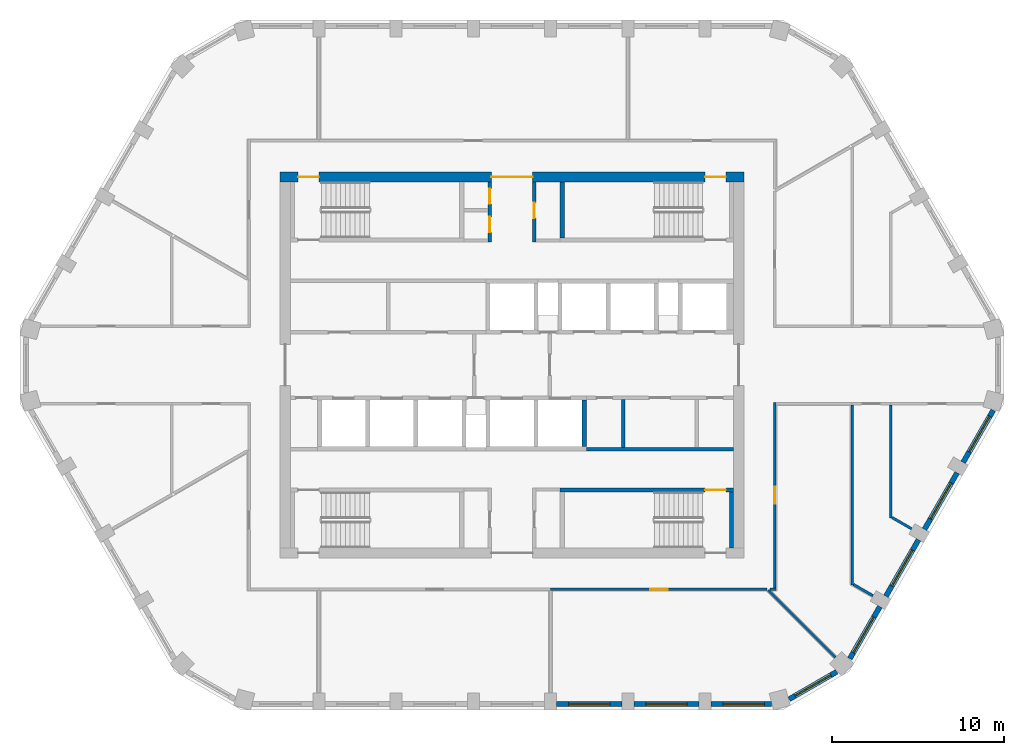
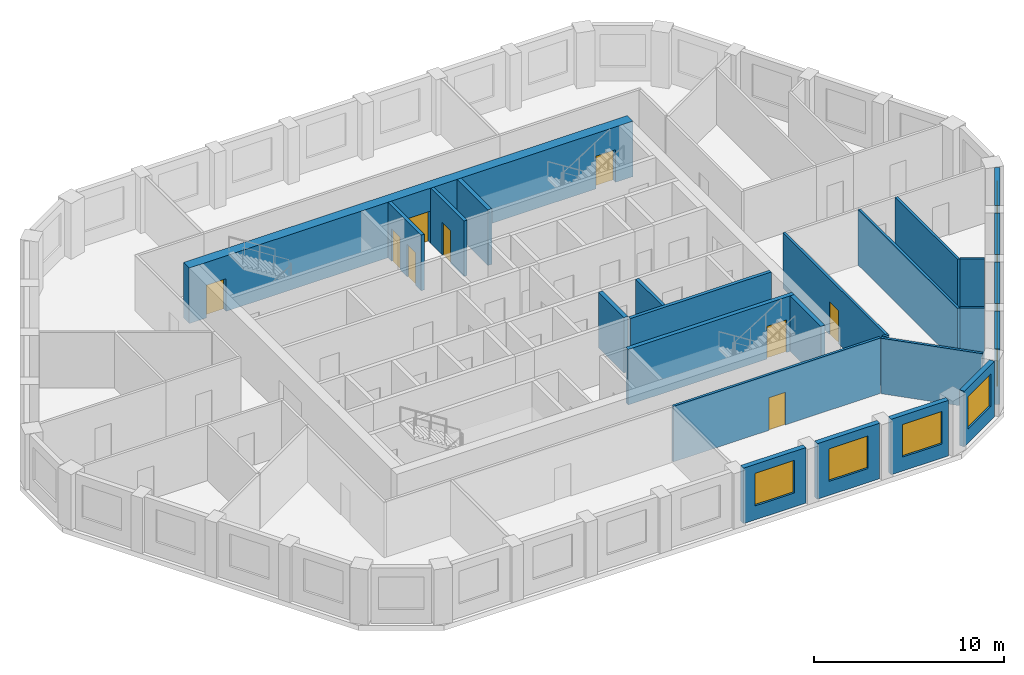
# One storey, part 4 of 11: 25 walls, 9 doors, 8 windows, 17 openings.
"""IFC4 building model written with IfcOpenShell, lengths in metres."""

from ifc_helpers import new_model, si_unit, direction, frame, frame_2d, origin, place, context, subcontext, project, spatial, polyline, rectangle, outline, extrude, material, layer, layer_set, type_object, element, fill, save


model = new_model("IFC4")

# Units and contexts
model_context = context("Model", 3, precision=1e-05, world=origin(), true_north=direction((0.0, 1.0)))
body_context = subcontext(model_context, "Body", "Model", "MODEL_VIEW")
ifc_project = project(units=[si_unit("LENGTHUNIT", "METRE"), si_unit("AREAUNIT", "SQUARE_METRE"), si_unit("VOLUMEUNIT", "CUBIC_METRE"), si_unit("PLANEANGLEUNIT", "RADIAN"), si_unit("MASSUNIT", "GRAM", prefix="KILO")], contexts=[model_context])

# Site, building, storey
site_placement = place(None, origin())
site = spatial("IfcSite", under=ifc_project, at=site_placement, CompositionType="ELEMENT")
building_placement = place(site_placement, origin())
building = spatial("IfcBuilding", under=site, at=building_placement, Name="Dhurran Vertical Campus", CompositionType="ELEMENT")
storey_placement = place(building_placement, frame((0.0, 0.0, 270.300048828125)))
storey = spatial("IfcBuildingStorey", under=building, at=storey_placement, Name="L67", CompositionType="ELEMENT", Elevation=270.300048828125)

# Wall, opening, window
ifc_material_1 = material(Name="Precast concrete C50/60", Category="concrete")
ifc_layer_1 = layer(ifc_material_1, 0.300048828125)
ifc_layer_set_1 = layer_set([ifc_layer_1], Name="Precast concrete C50/60")
wall_type_1 = type_object("IfcWallType", Name="Precast spandrel wall 300", PredefinedType="SOLIDWALL", material=ifc_layer_set_1)
wall_1_placement = place(storey_placement, frame((2.6005859375, -19.738525390625, 0.0), z_axis=(0.0, 0.0, 1.0), x_axis=(1.0, 0.0, 0.0)))
wall_1 = element("IfcWall", 1, at=wall_1_placement, inside=storey, type_object=wall_type_1, Name="EW1 L67.04", PredefinedType="SOLIDWALL", context=body_context, shape_type="SweptSolid", body=[
    extrude(rectangle(XDim=3.798828125, YDim=0.300048828125, at=frame_2d((1.8994140625, 0.0))), origin(), (0.0, 0.0, 1.0), 3.574951171875),
])
opening_1_placement = place(wall_1_placement, frame((0.699462890625, 0.0, 0.89990234375)))
opening_1 = element("IfcOpeningElement", 2, at=opening_1_placement, cuts=wall_1, Name="Opening WT1", PredefinedType="OPENING", context=body_context, shape_type="SweptSolid", body=[
    extrude(rectangle(XDim=2.39990234375, YDim=2.10009765625, at=frame_2d((1.199951171875, 1.050048828125))), frame((0.0, 0.159912109375, 0.0), z_axis=(0.0, -1.0, 0.0), x_axis=(1.0, 0.0, 0.0)), (0.0, 0.0, 1.0), 0.320068359375),
])
ifc_material_2 = material(Name="Aluminium frame with solar-control glass", Category="aluminium")
window_type = type_object("IfcWindowType", Name="Punched window 2400 x 2100", PartitioningType="SINGLE_PANEL", PredefinedType="WINDOW", material=ifc_material_2)
window_1_placement = place(opening_1_placement, origin())
window_1 = element("IfcWindow", 3, at=window_1_placement, inside=storey, type_object=window_type, Name="WT1 L67.04", OverallHeight=2.10009765625, OverallWidth=2.39990234375, PartitioningType="SINGLE_PANEL", PredefinedType="WINDOW", context=body_context, shape_type="SweptSolid", body=[
    extrude(rectangle(XDim=2.39990234375, YDim=2.10009765625, at=frame_2d((1.199951171875, 1.050048828125))), frame((0.0, 0.030029296875, 0.0), z_axis=(0.0, -1.0, 0.0), x_axis=(1.0, 0.0, 0.0)), (0.0, 0.0, 1.0), 0.06005859375),
])
fill(opening_1, window_1)

wall_2_placement = place(storey_placement, frame((7.1005859375, -19.738525390625, 0.0), z_axis=(0.0, 0.0, 1.0), x_axis=(1.0, 0.0, 0.0)))
wall_2 = element("IfcWall", 4, at=wall_2_placement, inside=storey, type_object=wall_type_1, Name="EW1 L67.05", PredefinedType="SOLIDWALL", context=body_context, shape_type="SweptSolid", body=[
    extrude(rectangle(XDim=3.798828125, YDim=0.300048828125, at=frame_2d((1.8994140625, 0.0))), origin(), (0.0, 0.0, 1.0), 3.574951171875),
])
opening_2_placement = place(wall_2_placement, frame((0.699462890625, 0.0, 0.89990234375)))
opening_2 = element("IfcOpeningElement", 5, at=opening_2_placement, cuts=wall_2, Name="Opening WT1", PredefinedType="OPENING", context=body_context, shape_type="SweptSolid", body=[
    extrude(rectangle(XDim=2.39990234375, YDim=2.10009765625, at=frame_2d((1.199951171875, 1.050048828125))), frame((0.0, 0.159912109375, 0.0), z_axis=(0.0, -1.0, 0.0), x_axis=(1.0, 0.0, 0.0)), (0.0, 0.0, 1.0), 0.320068359375),
])
window_2_placement = place(opening_2_placement, origin())
window_2 = element("IfcWindow", 6, at=window_2_placement, inside=storey, type_object=window_type, Name="WT1 L67.05", OverallHeight=2.10009765625, OverallWidth=2.39990234375, PartitioningType="SINGLE_PANEL", PredefinedType="WINDOW", context=body_context, shape_type="SweptSolid", body=[
    extrude(rectangle(XDim=2.39990234375, YDim=2.10009765625, at=frame_2d((1.199951171875, 1.050048828125))), frame((0.0, 0.030029296875, 0.0), z_axis=(0.0, -1.0, 0.0), x_axis=(1.0, 0.0, 0.0)), (0.0, 0.0, 1.0), 0.06005859375),
])
fill(opening_2, window_2)

wall_3_placement = place(storey_placement, frame((11.6005859375, -19.738525390625, 0.0), z_axis=(0.0, 0.0, 1.0), x_axis=(1.0, 0.0, 0.0)))
wall_3 = element("IfcWall", 7, at=wall_3_placement, inside=storey, type_object=wall_type_1, Name="EW1 L67.06", PredefinedType="SOLIDWALL", context=body_context, shape_type="SweptSolid", body=[
    extrude(rectangle(XDim=3.49755859375, YDim=0.300048828125, at=frame_2d((1.748779296875, 0.0))), origin(), (0.0, 0.0, 1.0), 3.574951171875),
])
opening_3_placement = place(wall_3_placement, frame((0.699462890625, 0.0, 0.89990234375)))
opening_3 = element("IfcOpeningElement", 8, at=opening_3_placement, cuts=wall_3, Name="Opening WT1", PredefinedType="OPENING", context=body_context, shape_type="SweptSolid", body=[
    extrude(rectangle(XDim=2.39990234375, YDim=2.10009765625, at=frame_2d((1.199951171875, 1.050048828125))), frame((0.0, 0.159912109375, 0.0), z_axis=(0.0, -1.0, 0.0), x_axis=(1.0, 0.0, 0.0)), (0.0, 0.0, 1.0), 0.320068359375),
])
window_3_placement = place(opening_3_placement, origin())
window_3 = element("IfcWindow", 9, at=window_3_placement, inside=storey, type_object=window_type, Name="WT1 L67.06", OverallHeight=2.10009765625, OverallWidth=2.39990234375, PartitioningType="SINGLE_PANEL", PredefinedType="WINDOW", context=body_context, shape_type="SweptSolid", body=[
    extrude(rectangle(XDim=2.39990234375, YDim=2.10009765625, at=frame_2d((1.199951171875, 1.050048828125))), frame((0.0, 0.030029296875, 0.0), z_axis=(0.0, -1.0, 0.0), x_axis=(1.0, 0.0, 0.0)), (0.0, 0.0, 1.0), 0.06005859375),
])
fill(opening_3, window_3)

wall_4_placement = place(storey_placement, frame((16.1396484375, -19.45947265625, 0.0), z_axis=(0.0, 0.0, 1.0), x_axis=(0.866025316205, 0.500000151692, 0.0)))
wall_4 = element("IfcWall", 10, at=wall_4_placement, inside=storey, type_object=wall_type_1, Name="EW1 L67.07", PredefinedType="SOLIDWALL", context=body_context, shape_type="SweptSolid", body=[
    extrude(rectangle(XDim=3.1962890625, YDim=0.300048828125, at=frame_2d((1.59814453125, 0.0))), origin(), (0.0, 0.0, 1.0), 3.574951171875),
])
opening_4_placement = place(wall_4_placement, frame((0.398193359375, 0.0, 0.89990234375)))
opening_4 = element("IfcOpeningElement", 11, at=opening_4_placement, cuts=wall_4, Name="Opening WT1", PredefinedType="OPENING", context=body_context, shape_type="SweptSolid", body=[
    extrude(rectangle(XDim=2.39990234375, YDim=2.10009765625, at=frame_2d((1.199951171875, 1.050048828125))), frame((0.0, 0.159912109375, 0.0), z_axis=(0.0, -1.0, 0.0), x_axis=(1.0, 0.0, 0.0)), (0.0, 0.0, 1.0), 0.320068359375),
])
window_4_placement = place(opening_4_placement, origin())
window_4 = element("IfcWindow", 12, at=window_4_placement, inside=storey, type_object=window_type, Name="WT1 L67.07", OverallHeight=2.10009765625, OverallWidth=2.39990234375, PartitioningType="SINGLE_PANEL", PredefinedType="WINDOW", context=body_context, shape_type="SweptSolid", body=[
    extrude(rectangle(XDim=2.39990234375, YDim=2.10009765625, at=frame_2d((1.199951171875, 1.050048828125))), frame((0.0, 0.030029296875, 0.0), z_axis=(0.0, -1.0, 0.0), x_axis=(1.0, 0.0, 0.0)), (0.0, 0.0, 1.0), 0.06005859375),
])
fill(opening_4, window_4)

wall_5_placement = place(storey_placement, frame((19.669921875, -17.09912109375, 0.0), z_axis=(0.0, 0.0, 1.0), x_axis=(0.499960102815, 0.866048437209, 0.0)))
wall_5 = element("IfcWall", 13, at=wall_5_placement, inside=storey, type_object=wall_type_1, Name="EW1 L67.08", PredefinedType="SOLIDWALL", context=body_context, shape_type="SweptSolid", body=[
    extrude(rectangle(XDim=3.497802734375, YDim=0.300048828125, at=frame_2d((1.7490234375, 0.0))), origin(), (0.0, 0.0, 1.0), 3.574951171875),
])
opening_5_placement = place(wall_5_placement, frame((0.398193359375, 0.0, 0.89990234375)))
opening_5 = element("IfcOpeningElement", 14, at=opening_5_placement, cuts=wall_5, Name="Opening WT1", PredefinedType="OPENING", context=body_context, shape_type="SweptSolid", body=[
    extrude(rectangle(XDim=2.39990234375, YDim=2.10009765625, at=frame_2d((1.199951171875, 1.050048828125))), frame((0.0, 0.159912109375, 0.0), z_axis=(0.0, -1.0, 0.0), x_axis=(1.0, 0.0, 0.0)), (0.0, 0.0, 1.0), 0.320068359375),
])
window_5_placement = place(opening_5_placement, origin())
window_5 = element("IfcWindow", 15, at=window_5_placement, inside=storey, type_object=window_type, Name="WT1 L67.08", OverallHeight=2.10009765625, OverallWidth=2.39990234375, PartitioningType="SINGLE_PANEL", PredefinedType="WINDOW", context=body_context, shape_type="SweptSolid", body=[
    extrude(rectangle(XDim=2.39990234375, YDim=2.10009765625, at=frame_2d((1.199951171875, 1.050048828125))), frame((0.0, 0.030029296875, 0.0), z_axis=(0.0, -1.0, 0.0), x_axis=(1.0, 0.0, 0.0)), (0.0, 0.0, 1.0), 0.06005859375),
])
fill(opening_5, window_5)

wall_6_placement = place(storey_placement, frame((21.769287109375, -13.462890625, 0.0), z_axis=(0.0, 0.0, 1.0), x_axis=(0.499982058975, 0.866035761792, 0.0)))
wall_6 = element("IfcWall", 16, at=wall_6_placement, inside=storey, type_object=wall_type_1, Name="EW1 L67.09", PredefinedType="SOLIDWALL", context=body_context, shape_type="SweptSolid", body=[
    extrude(rectangle(XDim=3.799072265625, YDim=0.300048828125, at=frame_2d((1.8994140625, 0.0))), origin(), (0.0, 0.0, 1.0), 3.574951171875),
])
opening_6_placement = place(wall_6_placement, frame((0.699462890625, 0.0, 0.89990234375)))
opening_6 = element("IfcOpeningElement", 17, at=opening_6_placement, cuts=wall_6, Name="Opening WT1", PredefinedType="OPENING", context=body_context, shape_type="SweptSolid", body=[
    extrude(rectangle(XDim=2.39990234375, YDim=2.10009765625, at=frame_2d((1.199951171875, 1.050048828125))), frame((0.0, 0.159912109375, 0.0), z_axis=(0.0, -1.0, 0.0), x_axis=(1.0, 0.0, 0.0)), (0.0, 0.0, 1.0), 0.320068359375),
])
window_6_placement = place(opening_6_placement, origin())
window_6 = element("IfcWindow", 18, at=window_6_placement, inside=storey, type_object=window_type, Name="WT1 L67.09", OverallHeight=2.10009765625, OverallWidth=2.39990234375, PartitioningType="SINGLE_PANEL", PredefinedType="WINDOW", context=body_context, shape_type="SweptSolid", body=[
    extrude(rectangle(XDim=2.39990234375, YDim=2.10009765625, at=frame_2d((1.199951171875, 1.050048828125))), frame((0.0, 0.030029296875, 0.0), z_axis=(0.0, -1.0, 0.0), x_axis=(1.0, 0.0, 0.0)), (0.0, 0.0, 1.0), 0.06005859375),
])
fill(opening_6, window_6)

wall_7_placement = place(storey_placement, frame((24.019287109375, -9.565673828125, 0.0), z_axis=(0.0, 0.0, 1.0), x_axis=(0.499982058975, 0.866035761792, 0.0)))
wall_7 = element("IfcWall", 19, at=wall_7_placement, inside=storey, type_object=wall_type_1, Name="EW1 L67.10", PredefinedType="SOLIDWALL", context=body_context, shape_type="SweptSolid", body=[
    extrude(rectangle(XDim=3.799072265625, YDim=0.300048828125, at=frame_2d((1.8994140625, 0.0))), origin(), (0.0, 0.0, 1.0), 3.574951171875),
])
opening_7_placement = place(wall_7_placement, frame((0.699462890625, 0.0, 0.89990234375)))
opening_7 = element("IfcOpeningElement", 20, at=opening_7_placement, cuts=wall_7, Name="Opening WT1", PredefinedType="OPENING", context=body_context, shape_type="SweptSolid", body=[
    extrude(rectangle(XDim=2.39990234375, YDim=2.10009765625, at=frame_2d((1.199951171875, 1.050048828125))), frame((0.0, 0.159912109375, 0.0), z_axis=(0.0, -1.0, 0.0), x_axis=(1.0, 0.0, 0.0)), (0.0, 0.0, 1.0), 0.320068359375),
])
window_7_placement = place(opening_7_placement, origin())
window_7 = element("IfcWindow", 21, at=window_7_placement, inside=storey, type_object=window_type, Name="WT1 L67.10", OverallHeight=2.10009765625, OverallWidth=2.39990234375, PartitioningType="SINGLE_PANEL", PredefinedType="WINDOW", context=body_context, shape_type="SweptSolid", body=[
    extrude(rectangle(XDim=2.39990234375, YDim=2.10009765625, at=frame_2d((1.199951171875, 1.050048828125))), frame((0.0, 0.030029296875, 0.0), z_axis=(0.0, -1.0, 0.0), x_axis=(1.0, 0.0, 0.0)), (0.0, 0.0, 1.0), 0.06005859375),
])
fill(opening_7, window_7)

wall_8_placement = place(storey_placement, frame((26.269287109375, -5.668701171875, 0.0), z_axis=(0.0, 0.0, 1.0), x_axis=(0.499990325971, 0.866030989016, 0.0)))
wall_8 = element("IfcWall", 22, at=wall_8_placement, inside=storey, type_object=wall_type_1, Name="EW1 L67.11", PredefinedType="SOLIDWALL", context=body_context, shape_type="SweptSolid", body=[
    extrude(rectangle(XDim=3.49755859375, YDim=0.300048828125, at=frame_2d((1.748779296875, 0.0))), origin(), (0.0, 0.0, 1.0), 3.574951171875),
])
opening_8_placement = place(wall_8_placement, frame((0.699462890625, 0.0, 0.89990234375)))
opening_8 = element("IfcOpeningElement", 23, at=opening_8_placement, cuts=wall_8, Name="Opening WT1", PredefinedType="OPENING", context=body_context, shape_type="SweptSolid", body=[
    extrude(rectangle(XDim=2.39990234375, YDim=2.10009765625, at=frame_2d((1.199951171875, 1.050048828125))), frame((0.0, 0.159912109375, 0.0), z_axis=(0.0, -1.0, 0.0), x_axis=(1.0, 0.0, 0.0)), (0.0, 0.0, 1.0), 0.320068359375),
])
window_8_placement = place(opening_8_placement, origin())
window_8 = element("IfcWindow", 24, at=window_8_placement, inside=storey, type_object=window_type, Name="WT1 L67.11", OverallHeight=2.10009765625, OverallWidth=2.39990234375, PartitioningType="SINGLE_PANEL", PredefinedType="WINDOW", context=body_context, shape_type="SweptSolid", body=[
    extrude(rectangle(XDim=2.39990234375, YDim=2.10009765625, at=frame_2d((1.199951171875, 1.050048828125))), frame((0.0, 0.030029296875, 0.0), z_axis=(0.0, -1.0, 0.0), x_axis=(1.0, 0.0, 0.0)), (0.0, 0.0, 1.0), 0.06005859375),
])
fill(opening_8, window_8)

# Wall, openings, doors
ifc_material_3 = material(Name="Concrete C50/60", Category="concrete")
ifc_layer_2 = layer(ifc_material_3, 0.60009765625)
ifc_layer_set_2 = layer_set([ifc_layer_2], Name="Concrete C50/60")
wall_type_2 = type_object("IfcWallType", Name="co-CORE-WALL-C2-600", PredefinedType="SHEAR", material=ifc_layer_set_2)
wall_9_placement = place(storey_placement, frame((-13.5, 10.949951171875, 0.0), z_axis=(0.0, 0.0, 1.0), x_axis=(1.0, 0.0, 0.0)))
wall_9 = element("IfcWall", 25, at=wall_9_placement, inside=storey, type_object=wall_type_2, Name="Core wall N L67", PredefinedType="SHEAR", context=body_context, shape_type="SweptSolid", body=[
    extrude(rectangle(XDim=27.0, YDim=0.60009765625, at=frame_2d((13.5, 0.0))), origin(), (0.0, 0.0, 1.0), 3.574951171875),
])
opening_9_placement = place(wall_9_placement, frame((12.300048828125, 0.0, 0.0)))
opening_9 = element("IfcOpeningElement", 26, at=opening_9_placement, cuts=wall_9, Name="Opening CV1", PredefinedType="OPENING", context=body_context, shape_type="SweptSolid", body=[
    extrude(rectangle(XDim=2.39990234375, YDim=2.10009765625, at=frame_2d((1.199951171875, 1.050048828125))), frame((0.0, 0.31005859375, 0.0), z_axis=(0.0, -1.0, 0.0), x_axis=(1.0, 0.0, 0.0)), (0.0, 0.0, 1.0), 0.6201171875),
])
opening_10_placement = place(wall_9_placement, frame((1.050048828125, 0.0, 0.0)))
opening_10 = element("IfcOpeningElement", 27, at=opening_10_placement, cuts=wall_9, Name="Opening XD1", PredefinedType="OPENING", context=body_context, shape_type="SweptSolid", body=[
    extrude(rectangle(XDim=1.199951171875, YDim=2.10009765625, at=frame_2d((0.60009765625, 1.050048828125))), frame((0.0, 0.31005859375, 0.0), z_axis=(0.0, -1.0, 0.0), x_axis=(1.0, 0.0, 0.0)), (0.0, 0.0, 1.0), 0.6201171875),
])
opening_11_placement = place(wall_9_placement, frame((24.75, 0.0, 0.0)))
opening_11 = element("IfcOpeningElement", 28, at=opening_11_placement, cuts=wall_9, Name="Opening XD2", PredefinedType="OPENING", context=body_context, shape_type="SweptSolid", body=[
    extrude(rectangle(XDim=1.199951171875, YDim=2.10009765625, at=frame_2d((0.60009765625, 1.050048828125))), frame((0.0, 0.31005859375, 0.0), z_axis=(0.0, -1.0, 0.0), x_axis=(1.0, 0.0, 0.0)), (0.0, 0.0, 1.0), 0.6201171875),
])
ifc_material_4 = material(Name="Fire-rated glazed door set")
door_type_1 = type_object("IfcDoorType", Name="co-D-LOBBY 2400x2100", OperationType="DOUBLE_DOOR_DOUBLE_SWING", PredefinedType="DOOR", material=ifc_material_4)
door_1_placement = place(opening_9_placement, origin())
door_1 = element("IfcDoor", 29, at=door_1_placement, inside=storey, type_object=door_type_1, Name="Core vestibule door N L67", OperationType="DOUBLE_DOOR_DOUBLE_SWING", OverallHeight=2.10009765625, OverallWidth=2.39990234375, PredefinedType="DOOR", context=body_context, shape_type="SweptSolid", body=[
    extrude(rectangle(XDim=2.39990234375, YDim=2.10009765625, at=frame_2d((1.199951171875, 1.050048828125))), frame((0.0, 0.02490234375, 0.0), z_axis=(0.0, -1.0, 0.0), x_axis=(1.0, 0.0, 0.0)), (0.0, 0.0, 1.0), 0.050048828125),
])
fill(opening_9, door_1)
ifc_material_5 = material(Name="Fire-rated steel door set", Category="steel")
door_type_2 = type_object("IfcDoorType", Name="co-D-STAIR-EXIT 1200x2100", OperationType="SINGLE_SWING_RIGHT", PredefinedType="DOOR", material=ifc_material_5)
door_2_placement = place(opening_10_placement, origin())
door_2 = element("IfcDoor", 30, at=door_2_placement, inside=storey, type_object=door_type_2, Name="Stair ST1 exit door L67", OperationType="SINGLE_SWING_RIGHT", OverallHeight=2.10009765625, OverallWidth=1.199951171875, PredefinedType="DOOR", context=body_context, shape_type="SweptSolid", body=[
    extrude(rectangle(XDim=1.199951171875, YDim=2.10009765625, at=frame_2d((0.60009765625, 1.050048828125))), frame((0.0, 0.02490234375, 0.0), z_axis=(0.0, -1.0, 0.0), x_axis=(1.0, 0.0, 0.0)), (0.0, 0.0, 1.0), 0.050048828125),
])
fill(opening_10, door_2)
door_3_placement = place(opening_11_placement, origin())
door_3 = element("IfcDoor", 31, at=door_3_placement, inside=storey, type_object=door_type_2, Name="Stair ST2 exit door L67", OperationType="SINGLE_SWING_RIGHT", OverallHeight=2.10009765625, OverallWidth=1.199951171875, PredefinedType="DOOR", context=body_context, shape_type="SweptSolid", body=[
    extrude(rectangle(XDim=1.199951171875, YDim=2.10009765625, at=frame_2d((0.60009765625, 1.050048828125))), frame((0.0, 0.02490234375, 0.0), z_axis=(0.0, -1.0, 0.0), x_axis=(1.0, 0.0, 0.0)), (0.0, 0.0, 1.0), 0.050048828125),
])
fill(opening_11, door_3)

ifc_material_6 = material(Name="Fire-rated masonry blockwork", Category="masonry")
ifc_layer_3 = layer(ifc_material_6, 0.199951171875)
ifc_layer_set_3 = layer_set([ifc_layer_3], Name="Fire-rated masonry blockwork")
wall_type_3 = type_object("IfcWallType", Name="co-FIRE-PARTITION-200", PredefinedType="PARTITIONING", material=ifc_layer_set_3)
wall_10_placement = place(storey_placement, frame((-1.300048828125, 7.14990234375, 0.0), z_axis=(0.0, 0.0, 1.0), x_axis=(0.0, 1.0, 0.0)))
wall_10 = element("IfcWall", 32, at=wall_10_placement, inside=storey, type_object=wall_type_3, Name="Core partition vest-NW L67", PredefinedType="PARTITIONING", context=body_context, shape_type="SweptSolid", body=[
    extrude(rectangle(XDim=3.5, YDim=0.199951171875, at=frame_2d((1.75, 0.0))), origin(), (0.0, 0.0, 1.0), 3.574951171875),
])
opening_12_placement = place(wall_10_placement, frame((0.574951171875, 0.0, 0.0)))
opening_12 = element("IfcOpeningElement", 33, at=opening_12_placement, cuts=wall_10, Name="Opening T20-C3", PredefinedType="OPENING", context=body_context, shape_type="SweptSolid", body=[
    extrude(rectangle(XDim=0.89990234375, YDim=2.10009765625, at=frame_2d((0.449951171875, 1.050048828125))), frame((0.0, 0.10986328125, 0.0), z_axis=(0.0, -1.0, 0.0), x_axis=(1.0, 0.0, 0.0)), (0.0, 0.0, 1.0), 0.219970703125),
])
opening_13_placement = place(wall_10_placement, frame((2.22509765625, 0.0, 0.0)))
opening_13 = element("IfcOpeningElement", 34, at=opening_13_placement, cuts=wall_10, Name="Opening T20-C4", PredefinedType="OPENING", context=body_context, shape_type="SweptSolid", body=[
    extrude(rectangle(XDim=0.89990234375, YDim=2.10009765625, at=frame_2d((0.449951171875, 1.050048828125))), frame((0.0, 0.10986328125, 0.0), z_axis=(0.0, -1.0, 0.0), x_axis=(1.0, 0.0, 0.0)), (0.0, 0.0, 1.0), 0.219970703125),
])
ifc_material_7 = material(Name="Fire-rated timber door set", Category="wood")
door_type_3 = type_object("IfcDoorType", Name="co-D-ROOM 900x2100", OperationType="SINGLE_SWING_LEFT", PredefinedType="DOOR", material=ifc_material_7)
door_4_placement = place(opening_12_placement, origin())
door_4 = element("IfcDoor", 35, at=door_4_placement, inside=storey, type_object=door_type_3, Name="Waste room door L67", OperationType="SINGLE_SWING_LEFT", OverallHeight=2.10009765625, OverallWidth=0.89990234375, PredefinedType="DOOR", context=body_context, shape_type="SweptSolid", body=[
    extrude(rectangle(XDim=0.89990234375, YDim=2.10009765625, at=frame_2d((0.449951171875, 1.050048828125))), frame((0.0, 0.02490234375, 0.0), z_axis=(0.0, -1.0, 0.0), x_axis=(1.0, 0.0, 0.0)), (0.0, 0.0, 1.0), 0.050048828125),
])
fill(opening_12, door_4)
door_5_placement = place(opening_13_placement, origin())
door_5 = element("IfcDoor", 36, at=door_5_placement, inside=storey, type_object=door_type_3, Name="Fire equipment store door L67", OperationType="SINGLE_SWING_LEFT", OverallHeight=2.10009765625, OverallWidth=0.89990234375, PredefinedType="DOOR", context=body_context, shape_type="SweptSolid", body=[
    extrude(rectangle(XDim=0.89990234375, YDim=2.10009765625, at=frame_2d((0.449951171875, 1.050048828125))), frame((0.0, 0.02490234375, 0.0), z_axis=(0.0, -1.0, 0.0), x_axis=(1.0, 0.0, 0.0)), (0.0, 0.0, 1.0), 0.050048828125),
])
fill(opening_13, door_5)

# Wall, opening, door
wall_11_placement = place(storey_placement, frame((1.300048828125, 7.14990234375, 0.0), z_axis=(0.0, 0.0, 1.0), x_axis=(0.0, 1.0, 0.0)))
wall_11 = element("IfcWall", 37, at=wall_11_placement, inside=storey, type_object=wall_type_3, Name="Core partition vest-NE L67", PredefinedType="PARTITIONING", context=body_context, shape_type="SweptSolid", body=[
    extrude(rectangle(XDim=3.5, YDim=0.199951171875, at=frame_2d((1.75, 0.0))), origin(), (0.0, 0.0, 1.0), 3.574951171875),
])
opening_14_placement = place(wall_11_placement, frame((1.39990234375, 0.0, 0.0)))
opening_14 = element("IfcOpeningElement", 38, at=opening_14_placement, cuts=wall_11, Name="Opening T20-C5", PredefinedType="OPENING", context=body_context, shape_type="SweptSolid", body=[
    extrude(rectangle(XDim=0.89990234375, YDim=2.10009765625, at=frame_2d((0.449951171875, 1.050048828125))), frame((0.0, 0.10986328125, 0.0), z_axis=(0.0, -1.0, 0.0), x_axis=(1.0, 0.0, 0.0)), (0.0, 0.0, 1.0), 0.219970703125),
])
door_6_placement = place(opening_14_placement, origin())
door_6 = element("IfcDoor", 39, at=door_6_placement, inside=storey, type_object=door_type_3, Name="Print room door L67", OperationType="SINGLE_SWING_LEFT", OverallHeight=2.10009765625, OverallWidth=0.89990234375, PredefinedType="DOOR", context=body_context, shape_type="SweptSolid", body=[
    extrude(rectangle(XDim=0.89990234375, YDim=2.10009765625, at=frame_2d((0.449951171875, 1.050048828125))), frame((0.0, 0.02490234375, 0.0), z_axis=(0.0, -1.0, 0.0), x_axis=(1.0, 0.0, 0.0)), (0.0, 0.0, 1.0), 0.050048828125),
])
fill(opening_14, door_6)

# Walls
wall_12_placement = place(storey_placement, frame((6.46875, -4.800048828125, 0.0), z_axis=(0.0, 0.0, 1.0), x_axis=(0.0, 1.0, 0.0)))
element("IfcWall", 40, at=wall_12_placement, inside=storey, type_object=wall_type_3, Name="Core partition fr-S2-cut0 L67", PredefinedType="PARTITIONING", context=body_context, shape_type="SweptSolid", body=[
    extrude(rectangle(XDim=2.800048828125, YDim=0.199951171875, at=frame_2d((1.39990234375, 0.0))), origin(), (0.0, 0.0, 1.0), 3.574951171875),
])
wall_13_placement = place(storey_placement, frame((4.324951171875, -4.89990234375, 0.0), z_axis=(0.0, 0.0, 1.0), x_axis=(1.0, 0.0, 0.0)))
element("IfcWall", 41, at=wall_13_placement, inside=storey, type_object=wall_type_3, Name="Core partition fr-S2-b L67", PredefinedType="PARTITIONING", context=body_context, shape_type="SweptSolid", body=[
    extrude(rectangle(XDim=8.574951171875, YDim=0.199951171875, at=frame_2d((4.28759765625, 0.0))), origin(), (0.0, 0.0, 1.0), 3.574951171875),
])
ifc_material_8 = material(Name="Concrete C50/60", Category="concrete")
ifc_layer_4 = layer(ifc_material_8, 0.25)
ifc_layer_set_4 = layer_set([ifc_layer_4], Name="Concrete C50/60")
wall_type_4 = type_object("IfcWallType", Name="co-SHAFT-MASS-250", PredefinedType="SHEAR", material=ifc_layer_set_4)
wall_14_placement = place(storey_placement, origin())
element("IfcWall", 42, at=wall_14_placement, inside=storey, type_object=wall_type_4, Name="Lift shaft wall S L67 9", PredefinedType="SHEAR", context=body_context, shape_type="SweptSolid", body=[
    extrude(outline(polyline([(4.074951171875, -4.75), (4.324951171875, -4.75), (4.324951171875, -2.050048828125), (4.074951171875, -2.050048828125), (4.074951171875, -4.75)])), origin(), (0.0, 0.0, 1.0), 3.574951171875),
])
ifc_material_9 = material(Name="Concrete C40/50", Category="concrete")
ifc_layer_5 = layer(ifc_material_9, 0.25)
ifc_layer_set_5 = layer_set([ifc_layer_5], Name="Concrete C40/50")
wall_type_5 = type_object("IfcWallType", Name="co-STAIR-WALL-250", PredefinedType="SHEAR", material=ifc_layer_set_5)
wall_15_placement = place(storey_placement, frame((2.925048828125, 7.39990234375, 0.0), z_axis=(0.0, 0.0, 1.0), x_axis=(0.0, 1.0, 0.0)))
element("IfcWall", 43, at=wall_15_placement, inside=storey, type_object=wall_type_5, Name="Stair ST2 enclosure wall L67", PredefinedType="SHEAR", context=body_context, shape_type="SweptSolid", body=[
    extrude(rectangle(XDim=3.25, YDim=0.25, at=frame_2d((1.625, 0.0))), origin(), (0.0, 0.0, 1.0), 3.574951171875),
])

# Wall, opening, door
wall_16_placement = place(storey_placement, frame((2.800048828125, -7.27490234375, 0.0), z_axis=(0.0, 0.0, 1.0), x_axis=(1.0, 0.0, 0.0)))
wall_16 = element("IfcWall", 44, at=wall_16_placement, inside=storey, type_object=wall_type_5, Name="Stair ST4 enclosure wall L67", PredefinedType="SHEAR", context=body_context, shape_type="SweptSolid", body=[
    extrude(rectangle(XDim=10.099853515625, YDim=0.25, at=frame_2d((5.0498046875, 0.0))), origin(), (0.0, 0.0, 1.0), 3.574951171875),
])
opening_15_placement = place(wall_16_placement, frame((8.449951171875, 0.0, 0.0)))
opening_15 = element("IfcOpeningElement", 45, at=opening_15_placement, cuts=wall_16, Name="Opening SD4", PredefinedType="OPENING", context=body_context, shape_type="SweptSolid", body=[
    extrude(rectangle(XDim=1.199951171875, YDim=2.10009765625, at=frame_2d((0.60009765625, 1.050048828125))), frame((0.0, 0.135009765625, 0.0), z_axis=(0.0, -1.0, 0.0), x_axis=(1.0, 0.0, 0.0)), (0.0, 0.0, 1.0), 0.27001953125),
])
ifc_material_10 = material(Name="Fire-rated steel door set", Category="steel")
door_type_4 = type_object("IfcDoorType", Name="co-D-STAIR 1200x2100", OperationType="SINGLE_SWING_LEFT", PredefinedType="DOOR", material=ifc_material_10)
door_7_placement = place(opening_15_placement, origin())
door_7 = element("IfcDoor", 46, at=door_7_placement, inside=storey, type_object=door_type_4, Name="Stair ST4 door L67", OperationType="SINGLE_SWING_LEFT", OverallHeight=2.10009765625, OverallWidth=1.199951171875, PredefinedType="DOOR", context=body_context, shape_type="SweptSolid", body=[
    extrude(rectangle(XDim=1.199951171875, YDim=2.10009765625, at=frame_2d((0.60009765625, 1.050048828125))), frame((0.0, 0.02490234375, 0.0), z_axis=(0.0, -1.0, 0.0), x_axis=(1.0, 0.0, 0.0)), (0.0, 0.0, 1.0), 0.050048828125),
])
fill(opening_15, door_7)

# Wall
wall_17_placement = place(storey_placement, frame((12.77490234375, -10.64990234375, 0.0), z_axis=(0.0, 0.0, 1.0), x_axis=(0.0, 1.0, 0.0)))
element("IfcWall", 47, at=wall_17_placement, inside=storey, type_object=wall_type_5, Name="Stair ST4 enclosure wall L67", PredefinedType="SHEAR", context=body_context, shape_type="SweptSolid", body=[
    extrude(rectangle(XDim=3.25, YDim=0.25, at=frame_2d((1.625, 0.0))), origin(), (0.0, 0.0, 1.0), 3.574951171875),
])

# Wall, opening, door
ifc_material_11 = material(Name="Gypsum board corridor wall on steel studs", Category="steel")
ifc_layer_6 = layer(ifc_material_11, 0.14990234375)
ifc_layer_set_6 = layer_set([ifc_layer_6], Name="Gypsum board corridor wall on steel studs")
wall_type_6 = type_object("IfcWallType", Name="fl-CW-150 corridor wall", PredefinedType="PARTITIONING", material=ifc_layer_set_6)
wall_18_placement = place(storey_placement, frame((2.25, -13.050048828125, 0.0), z_axis=(0.0, 0.0, 1.0), x_axis=(1.0, 0.0, 0.0)))
wall_18 = element("IfcWall", 48, at=wall_18_placement, inside=storey, type_object=wall_type_6, Name="Partition 67-22", PredefinedType="PARTITIONING", context=body_context, shape_type="SweptSolid", body=[
    extrude(rectangle(XDim=12.60888671875, YDim=0.14990234375, at=frame_2d((6.304443359375, 0.0))), origin(), (0.0, 0.0, 1.0), 3.574951171875),
])
opening_16_placement = place(wall_18_placement, frame((5.804443359375, 0.0, 0.0)))
opening_16 = element("IfcOpeningElement", 49, at=opening_16_placement, cuts=wall_18, Name="Opening T20.09", PredefinedType="OPENING", context=body_context, shape_type="SweptSolid", body=[
    extrude(rectangle(XDim=1.0, YDim=2.10009765625, at=frame_2d((0.5, 1.050048828125))), frame((0.0, 0.0849609375, 0.0), z_axis=(0.0, -1.0, 0.0), x_axis=(1.0, 0.0, 0.0)), (0.0, 0.0, 1.0), 0.169921875),
])
ifc_material_12 = material(Name="Solid-core timber door set, fire-rated", Category="wood")
door_type_5 = type_object("IfcDoorType", Name="fl-D-1000x2100", OperationType="SINGLE_SWING_LEFT", PredefinedType="DOOR", material=ifc_material_12)
door_8_placement = place(opening_16_placement, origin())
door_8 = element("IfcDoor", 50, at=door_8_placement, inside=storey, type_object=door_type_5, Name="Door 67.09", OperationType="SINGLE_SWING_LEFT", OverallHeight=2.10009765625, OverallWidth=1.0, PredefinedType="DOOR", context=body_context, shape_type="SweptSolid", body=[
    extrude(rectangle(XDim=1.0, YDim=2.10009765625, at=frame_2d((0.5, 1.050048828125))), frame((0.0, 0.02490234375, 0.0), z_axis=(0.0, -1.0, 0.0), x_axis=(1.0, 0.0, 0.0)), (0.0, 0.0, 1.0), 0.050048828125),
])
fill(opening_16, door_8)

# Wall
wall_19_placement = place(storey_placement, frame((15.033935546875, -13.050048828125, 0.0), z_axis=(0.0, 0.0, 1.0), x_axis=(1.0, 0.0, 0.0)))
element("IfcWall", 51, at=wall_19_placement, inside=storey, type_object=wall_type_6, Name="Partition 67-25", PredefinedType="PARTITIONING", context=body_context, shape_type="SweptSolid", body=[
    extrude(rectangle(XDim=0.341064453125, YDim=0.14990234375, at=frame_2d((0.17041015625, 0.0))), origin(), (0.0, 0.0, 1.0), 3.574951171875),
])

# Wall, opening, door
wall_20_placement = place(storey_placement, frame((15.300048828125, -12.97509765625, 0.0), z_axis=(0.0, 0.0, 1.0), x_axis=(0.0, 1.0, 0.0)))
wall_20 = element("IfcWall", 52, at=wall_20_placement, inside=storey, type_object=wall_type_6, Name="Partition 67-27", PredefinedType="PARTITIONING", context=body_context, shape_type="SweptSolid", body=[
    extrude(rectangle(XDim=10.800048828125, YDim=0.14990234375, at=frame_2d((5.39990234375, 0.0))), origin(), (0.0, 0.0, 1.0), 3.574951171875),
])
opening_17_placement = place(wall_20_placement, frame((4.89990234375, 0.0, 0.0)))
opening_17 = element("IfcOpeningElement", 53, at=opening_17_placement, cuts=wall_20, Name="Opening T20.12", PredefinedType="OPENING", context=body_context, shape_type="SweptSolid", body=[
    extrude(rectangle(XDim=1.0, YDim=2.10009765625, at=frame_2d((0.5, 1.050048828125))), frame((0.0, 0.0849609375, 0.0), z_axis=(0.0, -1.0, 0.0), x_axis=(1.0, 0.0, 0.0)), (0.0, 0.0, 1.0), 0.169921875),
])
door_9_placement = place(opening_17_placement, origin())
door_9 = element("IfcDoor", 54, at=door_9_placement, inside=storey, type_object=door_type_5, Name="Door 67.12", OperationType="SINGLE_SWING_LEFT", OverallHeight=2.10009765625, OverallWidth=1.0, PredefinedType="DOOR", context=body_context, shape_type="SweptSolid", body=[
    extrude(rectangle(XDim=1.0, YDim=2.10009765625, at=frame_2d((0.5, 1.050048828125))), frame((0.0, 0.02490234375, 0.0), z_axis=(0.0, -1.0, 0.0), x_axis=(1.0, 0.0, 0.0)), (0.0, 0.0, 1.0), 0.050048828125),
])
fill(opening_17, door_9)

# Walls
ifc_material_13 = material(Name="Gypsum board partition on steel studs", Category="steel")
ifc_layer_7 = layer(ifc_material_13, 0.14990234375)
ifc_layer_set_7 = layer_set([ifc_layer_7], Name="Gypsum board partition on steel studs")
wall_type_7 = type_object("IfcWallType", Name="fl-PW-150 fixed partition", PredefinedType="PARTITIONING", material=ifc_layer_set_7)
wall_21_placement = place(storey_placement, frame((14.912109375, -13.10302734375, 0.0), z_axis=(0.0, 0.0, 1.0), x_axis=(0.707018679171, -0.707194872226, 0.0)))
element("IfcWall", 55, at=wall_21_placement, inside=storey, type_object=wall_type_7, Name="Partition 67-26", PredefinedType="PARTITIONING", context=body_context, shape_type="SweptSolid", body=[
    extrude(rectangle(XDim=5.54248046875, YDim=0.14990234375, at=frame_2d((2.771240234375, 0.0))), origin(), (0.0, 0.0, 1.0), 3.574951171875),
])
wall_22_placement = place(storey_placement, frame((19.800048828125, -2.324951171875, 0.0), z_axis=(0.0, 0.0, 1.0), x_axis=(0.0, -1.0, 0.0)))
element("IfcWall", 56, at=wall_22_placement, inside=storey, type_object=wall_type_7, Name="Partition 67-33", PredefinedType="PARTITIONING", context=body_context, shape_type="SweptSolid", body=[
    extrude(rectangle(XDim=10.48095703125, YDim=0.14990234375, at=frame_2d((5.240478515625, 0.0))), origin(), (0.0, 0.0, 1.0), 3.574951171875),
])
wall_23_placement = place(storey_placement, frame((19.88671875, -12.781005859375, 0.0), z_axis=(0.0, 0.0, 1.0), x_axis=(0.866110606688, -0.499852395195, 0.0)))
element("IfcWall", 57, at=wall_23_placement, inside=storey, type_object=wall_type_7, Name="Partition 67-34", PredefinedType="PARTITIONING", context=body_context, shape_type="SweptSolid", body=[
    extrude(rectangle(XDim=1.30126953125, YDim=0.14990234375, at=frame_2d((0.650634765625, 0.0))), origin(), (0.0, 0.0, 1.0), 3.574951171875),
])
wall_24_placement = place(storey_placement, frame((22.050048828125, -2.324951171875, 0.0), z_axis=(0.0, 0.0, 1.0), x_axis=(0.0, -1.0, 0.0)))
element("IfcWall", 58, at=wall_24_placement, inside=storey, type_object=wall_type_7, Name="Partition 67-39", PredefinedType="PARTITIONING", context=body_context, shape_type="SweptSolid", body=[
    extrude(rectangle(XDim=6.5830078125, YDim=0.14990234375, at=frame_2d((3.29150390625, 0.0))), origin(), (0.0, 0.0, 1.0), 3.574951171875),
])
wall_25_placement = place(storey_placement, frame((22.136474609375, -8.883056640625, 0.0), z_axis=(0.0, 0.0, 1.0), x_axis=(0.865960725898, -0.500112008656, 0.0)))
element("IfcWall", 59, at=wall_25_placement, inside=storey, type_object=wall_type_7, Name="Partition 67-40", PredefinedType="PARTITIONING", context=body_context, shape_type="SweptSolid", body=[
    extrude(rectangle(XDim=1.302001953125, YDim=0.14990234375, at=frame_2d((0.65087890625, 0.0))), origin(), (0.0, 0.0, 1.0), 3.574951171875),
])

save(model, "model.ifc")
